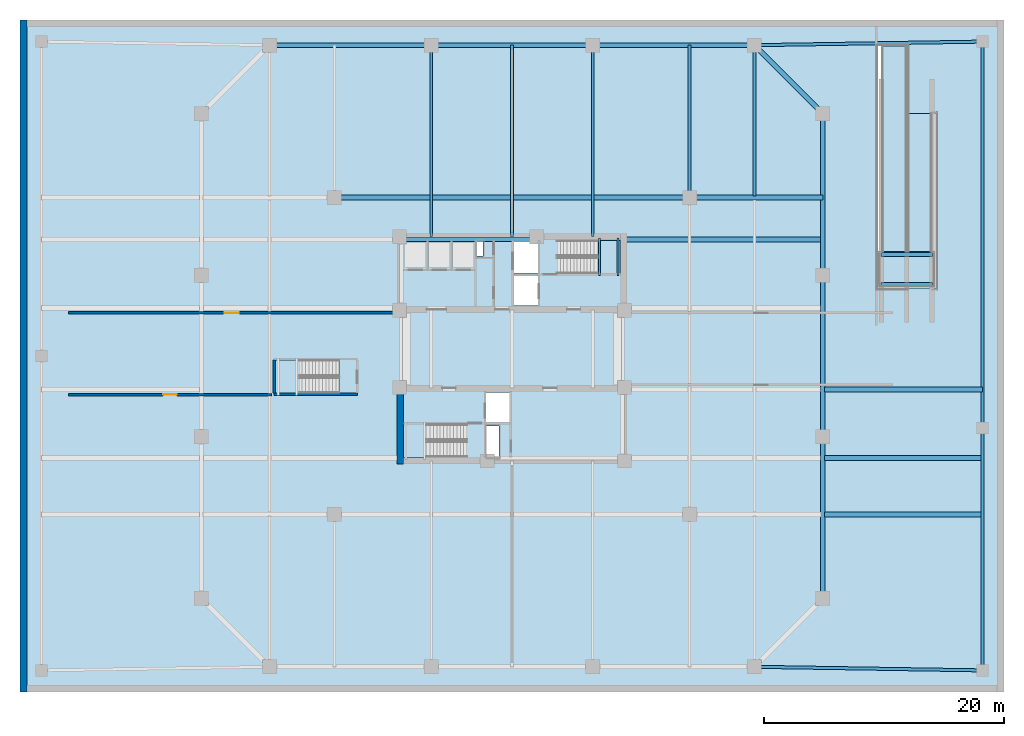
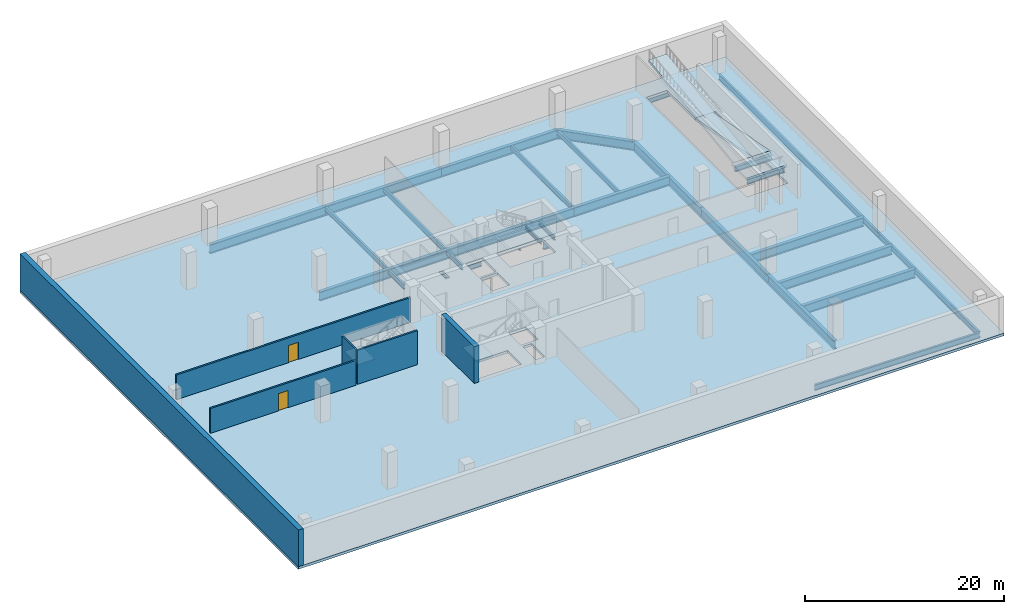
# One storey, part 2 of 8: 27 beams, 7 slabs, 6 walls, 2 doors, 2 openings, 3 elements without a shape of their own.
"""IFC4 building model written with IfcOpenShell, lengths in metres."""

import ifcopenshell
import ifcopenshell.guid

model = None  # the IFC model being written
_history = None  # IfcOwnerHistory: only IFC2X3 demands one
_inside = {}  # id of a spatial element -> (the spatial element, [elements in it])
_under = {}  # id of a project, library or spatial element -> (it, [spatial elements below it])
_declared = {}  # id of a project -> (the project, [libraries it declares])
_typed = {}  # id of a type object -> (the type object, [elements of that type])
_made_of = {}  # id of a material, layer set ... -> (it, [elements and type objects made of it])


def new_model(schema):
    """Start an empty IFC model of exactly this schema.

    Asked for "IFC4X3", IfcOpenShell would pick the latest addendum, in which some entities
    have other attributes; the version numbers below select the first issue.
    IFC2X3 requires an IfcOwnerHistory on every rooted entity: one is made here for all.
    """
    global model, _history
    if schema == "IFC4X3":
        model = ifcopenshell.file(schema_version=(4, 3, 0, 0))
    else:
        model = ifcopenshell.file(schema=schema)
    _inside.clear()
    _under.clear()
    _declared.clear()
    _typed.clear()
    _made_of.clear()
    _history = None
    if model.schema == "IFC2X3":
        org = make("IfcOrganization", Name="unknown")
        user = make(
            "IfcPersonAndOrganization",
            ThePerson=make("IfcPerson", FamilyName="unknown"),
            TheOrganization=org,
        )
        app = make(
            "IfcApplication",
            ApplicationDeveloper=org,
            Version="unknown",
            ApplicationFullName="unknown",
            ApplicationIdentifier="unknown",
        )
        _history = make(
            "IfcOwnerHistory",
            OwningUser=user,
            OwningApplication=app,
            ChangeAction="ADDED",
            CreationDate=0,
        )
    return model


def make(cls, **values):
    """One entity of the class cls with the attributes given. An attribute that is None is left unset."""
    return model.create_entity(
        cls, **{name: value for name, value in values.items() if value is not None}
    )


def rooted(cls, **values):
    """An entity with a GlobalId (a new one), such as an element, a storey or a relation."""
    return make(cls, GlobalId=ifcopenshell.guid.new(), OwnerHistory=_history, **values)


def si_unit(unit_type, name, prefix=None):
    """IfcSIUnit, for example si_unit("LENGTHUNIT", "METRE", prefix="MILLI")."""
    return make("IfcSIUnit", UnitType=unit_type, Prefix=prefix, Name=name)


def assignment(units):
    """IfcUnitAssignment: the units of a project."""
    return None if units is None else make("IfcUnitAssignment", Units=units)


def point(xyz):
    """IfcCartesianPoint."""
    return None if xyz is None else make("IfcCartesianPoint", Coordinates=xyz)


def direction(xyz):
    """IfcDirection."""
    return None if xyz is None else make("IfcDirection", DirectionRatios=xyz)


def frame(location, z_axis=None, x_axis=None):
    """IfcAxis2Placement3D, a coordinate frame: its origin and axes. An axis left out is left unset."""
    return make(
        "IfcAxis2Placement3D",
        Location=point(location),
        Axis=direction(z_axis),
        RefDirection=direction(x_axis),
    )


def frame_2d(location, x_axis=None):
    """IfcAxis2Placement2D, a coordinate frame in the plane: its origin and x axis."""
    return make(
        "IfcAxis2Placement2D", Location=point(location), RefDirection=direction(x_axis)
    )


def origin():
    """The frame at (0, 0, 0) with its axes left unset."""
    return frame((0.0, 0.0, 0.0))


def origin_2d():
    """The frame at (0, 0) in the plane with its x axis left unset."""
    return frame_2d((0.0, 0.0))


def place(relative_to, where):
    """IfcLocalPlacement: puts the frame where relative to a parent placement (None: the world)."""
    return make(
        "IfcLocalPlacement", PlacementRelTo=relative_to, RelativePlacement=where
    )


def context(
    kind, dimensions, precision=None, world=None, true_north=None, identifier=None
):
    """IfcGeometricRepresentationContext, for example the 3D "Model" context."""
    return make(
        "IfcGeometricRepresentationContext",
        ContextIdentifier=identifier,
        ContextType=kind,
        CoordinateSpaceDimension=dimensions,
        Precision=precision,
        WorldCoordinateSystem=world,
        TrueNorth=true_north,
    )


def subcontext(parent, identifier, kind, view, scale=None):
    """IfcGeometricRepresentationSubContext, for example "Body" below "Model"."""
    return make(
        "IfcGeometricRepresentationSubContext",
        ContextIdentifier=identifier,
        ContextType=kind,
        ParentContext=parent,
        TargetScale=scale,
        TargetView=view,
    )


def project(units=None, contexts=None):
    """IfcProject with its units and contexts."""
    return rooted(
        "IfcProject",
        Name="project",
        RepresentationContexts=contexts,
        UnitsInContext=assignment(units),
    )


def spatial(cls, under=None, at=None, **own):
    """A site, building, storey or space (cls), placed at a placement, below another one or the project."""
    s = rooted(cls, ObjectPlacement=at, **own)
    if under is not None:
        _under.setdefault(under.id(), (under, []))[1].append(s)
    return s


def polyline(points):
    """IfcPolyline through the points."""
    return make("IfcPolyline", Points=[point(p) for p in points])


def profile(cls, at=None, kind="AREA", **sizes):
    """A parametric profile (cls). Its sizes go by their IFC names, for example OverallWidth=200.0."""
    return make(cls, ProfileType=kind, Position=at, **sizes)


def rectangle(**sizes):
    """IfcRectangleProfileDef."""
    return profile("IfcRectangleProfileDef", **sizes)


def i_section(**sizes):
    """IfcIShapeProfileDef."""
    return profile("IfcIShapeProfileDef", **sizes)


def outline(outer, holes=None, kind="AREA"):
    """IfcArbitraryClosedProfileDef: a profile drawn as a closed curve; with holes, ...WithVoids."""
    if holes is None:
        return make("IfcArbitraryClosedProfileDef", ProfileType=kind, OuterCurve=outer)
    return make(
        "IfcArbitraryProfileDefWithVoids",
        ProfileType=kind,
        OuterCurve=outer,
        InnerCurves=holes,
    )


def extrude(swept, where, along, depth):
    """IfcExtrudedAreaSolid: the profile swept, set in the frame where, extruded along a direction by depth."""
    return make(
        "IfcExtrudedAreaSolid",
        SweptArea=swept,
        Position=where,
        ExtrudedDirection=direction(along),
        Depth=depth,
    )


def shape(context_of_items, identifier, shape_type, items):
    """IfcShapeRepresentation: the items that make up one representation, for example the "Body"."""
    return make(
        "IfcShapeRepresentation",
        ContextOfItems=context_of_items,
        RepresentationIdentifier=identifier,
        RepresentationType=shape_type,
        Items=items,
    )


def material(Name=None, Category=None):
    """IfcMaterial."""
    return make("IfcMaterial", Name=Name, Category=Category)


def layer(
    of_material, thickness, ventilated=None, Name=None, Category=None, Priority=None
):
    """IfcMaterialLayer: one layer of a wall or slab, of a material (None: an air gap)."""
    return make(
        "IfcMaterialLayer",
        Material=of_material,
        LayerThickness=thickness,
        IsVentilated=ventilated,
        Name=Name,
        Category=Category,
        Priority=Priority,
    )


def layer_set(layers, Name=None):
    """IfcMaterialLayerSet."""
    return make("IfcMaterialLayerSet", MaterialLayers=layers, LayerSetName=Name)


def material_profile(
    of_material, cross_section, Name=None, Category=None, Priority=None
):
    """IfcMaterialProfile: a cross section and its material."""
    return make(
        "IfcMaterialProfile",
        Name=Name,
        Material=of_material,
        Profile=cross_section,
        Priority=Priority,
        Category=Category,
    )


def profile_set(profiles, Name=None, composite=None):
    """IfcMaterialProfileSet."""
    return make(
        "IfcMaterialProfileSet",
        Name=Name,
        MaterialProfiles=profiles,
        CompositeProfile=composite,
    )


def made_of(thing, what):
    """Note that an element or type object is made of a material, layer set ...; save() writes the relation."""
    if what is not None:
        _made_of.setdefault(what.id(), (what, []))[1].append(thing)
    return thing


def type_object(cls, material=None, **own):
    """A type object (cls), such as IfcWallType, which elements share."""
    return made_of(rooted(cls, **own), material)


def element(
    cls,
    number,
    at=None,
    inside=None,
    cuts=None,
    type_object=None,
    material=None,
    context=None,
    identifier="Body",
    shape_type=None,
    held_by="IfcProductDefinitionShape",
    body=None,
    shapes=None,
    **own,
):
    """One element of the class cls, such as IfcWall. Its Tag is "e" and its number.

    at: its placement. inside: the storey or other place that contains it. cuts: it is an
    opening in that element (IfcRelVoidsElement). A single representation is given by context,
    identifier, shape_type and body (its items); several are given by shapes. held_by: the class
    of the entity that holds the representations. save() writes the other relations.
    """
    e = rooted(cls, Tag="e%d" % number, ObjectPlacement=at, **own)
    if body is not None:
        shapes = [shape(context, identifier, shape_type, body)]
    if shapes is not None:
        e.Representation = make(held_by, Representations=shapes)
    if inside is not None:
        _inside.setdefault(inside.id(), (inside, []))[1].append(e)
    if cuts is not None:
        rooted(
            "IfcRelVoidsElement", RelatingBuildingElement=cuts, RelatedOpeningElement=e
        )
    if type_object is not None:
        _typed.setdefault(type_object.id(), (type_object, []))[1].append(e)
    return made_of(e, material)


def fill(opening, filler):
    """IfcRelFillsElement: the door or window that sits in an opening."""
    return rooted(
        "IfcRelFillsElement",
        RelatingOpeningElement=opening,
        RelatedBuildingElement=filler,
    )


def aggregate(whole, parts):
    """IfcRelAggregates: a whole, such as a stair, and the parts it consists of."""
    return rooted("IfcRelAggregates", RelatingObject=whole, RelatedObjects=parts)


def save(model, path):
    """Write the relations noted so far, then the file.

    IfcRelAggregates (storeys below a building ...), IfcRelContainedInSpatialStructure (elements
    in a storey), IfcRelDefinesByType, IfcRelAssociatesMaterial and IfcRelDeclares: one each for
    every whole, place, type object, material and project.
    """
    for whole, parts in _under.values():
        aggregate(whole, parts)
    for where, things in _inside.values():
        rooted(
            "IfcRelContainedInSpatialStructure",
            RelatedElements=things,
            RelatingStructure=where,
        )
    for kind, things in _typed.values():
        rooted("IfcRelDefinesByType", RelatedObjects=things, RelatingType=kind)
    for what, things in _made_of.values():
        rooted("IfcRelAssociatesMaterial", RelatedObjects=things, RelatingMaterial=what)
    for by, libraries in _declared.values():
        rooted("IfcRelDeclares", RelatingContext=by, RelatedDefinitions=libraries)
    model.write(path)


model = new_model("IFC4")

# Units and contexts
model_context = context("Model", 3, precision=1e-05, world=origin(), true_north=direction((0.0, 1.0)))
body_context = subcontext(model_context, "Body", "Model", "MODEL_VIEW")
ifc_project = project(units=[si_unit("LENGTHUNIT", "METRE"), si_unit("AREAUNIT", "SQUARE_METRE"), si_unit("VOLUMEUNIT", "CUBIC_METRE"), si_unit("PLANEANGLEUNIT", "RADIAN"), si_unit("MASSUNIT", "GRAM", prefix="KILO")], contexts=[model_context])

# Site, building, storey
site_placement = place(None, origin())
site = spatial("IfcSite", under=ifc_project, at=site_placement, CompositionType="ELEMENT")
building_placement = place(site_placement, origin())
building = spatial("IfcBuilding", under=site, at=building_placement, Name="Qhalaya Broadcast Tower", CompositionType="ELEMENT")
storey_placement = place(building_placement, frame((0.0, 0.0, -4.5)))
storey = spatial("IfcBuildingStorey", under=building, at=storey_placement, Name="B01", CompositionType="ELEMENT", Elevation=-4.5)

# Beams
ifc_material_1 = material(Name="Structural Steel ASTM A992 Grade 50", Category="steel")
ifc_material_profile_1 = material_profile(ifc_material_1, i_section(OverallWidth=0.22802734375, OverallDepth=0.60693359375, WebThickness=0.01123046875, FlangeThickness=0.017333984375, at=origin_2d()), Name="W24X76")
ifc_profile_set_1 = profile_set([ifc_material_profile_1], Name="Structural Steel ASTM A992 Grade 50")
beam_type_1 = type_object("IfcBeamType", Name="Composite Floor Joist J01", PredefinedType="JOIST", material=ifc_profile_set_1)
for number, where, z_axis, x_axis, name in (
    (1, (-6.7333984375, 9.949951171875, -0.62353515625), (0.0, 1.0, 0.0), (-1.0, 0.0, 0.0), "B01 J01 B01-JS-CN-6.7"),
    (2, (0.0, 9.949951171875, -0.62353515625), (0.0, 1.0, 0.0), (-1.0, 0.0, 0.0), "B01 J01 B01-JS-CN+0.0"),
    (3, (6.7333984375, 9.949951171875, -0.62353515625), (0.0, 1.0, 0.0), (-1.0, 0.0, 0.0), "B01 J01 B01-JS-CN+6.7"),
):
    element("IfcBeam", number, at=place(storey_placement, frame(where, z_axis=z_axis, x_axis=x_axis)), inside=storey, type_object=beam_type_1, Name=name, PredefinedType="JOIST", context=body_context, shape_type="SweptSolid", body=[
        extrude(i_section(OverallWidth=0.22802734375, OverallDepth=0.60693359375, WebThickness=0.01123046875, FlangeThickness=0.017333984375, at=origin_2d()), origin(), (0.0, 0.0, 1.0), 15.949951171875),
    ])
beam_1_placement = place(storey_placement, frame((14.800048828125, 13.199951171875, -0.62353515625), z_axis=(0.0, 1.0, 0.0), x_axis=(-1.0, 0.0, 0.0)))
element("IfcBeam", 4, at=beam_1_placement, inside=storey, type_object=beam_type_1, Name="B01 J01 B01-JS-N+14.8", PredefinedType="JOIST", context=body_context, shape_type="SweptSolid", body=[
    extrude(i_section(OverallWidth=0.22802734375, OverallDepth=0.60693359375, WebThickness=0.01123046875, FlangeThickness=0.017333984375, at=origin_2d()), origin(), (0.0, 0.0, 1.0), 12.699951171875),
])
beam_2_placement = place(storey_placement, frame((20.199951171875, 13.340087890625, -0.62353515625), z_axis=(0.0, 1.0, 0.0), x_axis=(-1.0, 0.0, 0.0)))
element("IfcBeam", 5, at=beam_2_placement, inside=storey, type_object=beam_type_1, Name="B01 J01 B01-JS-N+20.2", PredefinedType="JOIST", context=body_context, shape_type="SweptSolid", body=[
    extrude(i_section(OverallWidth=0.22802734375, OverallDepth=0.60693359375, WebThickness=0.01123046875, FlangeThickness=0.017333984375, at=origin_2d()), origin(), (0.0, 0.0, 1.0), 12.559814453125),
])
ifc_material_profile_2 = material_profile(ifc_material_1, i_section(OverallWidth=0.323974609375, OverallDepth=0.612060546875, WebThickness=0.0126953125, FlangeThickness=0.01904296875, at=origin_2d()), Name="W24X104")
ifc_profile_set_2 = profile_set([ifc_material_profile_2], Name="Structural Steel ASTM A992 Grade 50")
beam_type_2 = type_object("IfcBeamType", Name="Core Frame Tie Beam B04", PredefinedType="BEAM", material=ifc_profile_set_2)
beam_3_placement = place(storey_placement, frame((-9.199951171875, 9.699951171875, -0.6259765625), z_axis=(1.0, 0.0, 0.0), x_axis=(0.0, 1.0, 0.0)))
element("IfcBeam", 6, at=beam_3_placement, inside=storey, type_object=beam_type_2, Name="B01 B04 B01-CCN3", PredefinedType="BEAM", context=body_context, shape_type="SweptSolid", body=[
    extrude(i_section(OverallWidth=0.323974609375, OverallDepth=0.612060546875, WebThickness=0.0126953125, FlangeThickness=0.01904296875, at=origin_2d()), origin(), (0.0, 0.0, 1.0), 11.25),
])
for number, where, z_axis, x_axis, name in (
    (7, (30.75, 5.949951171875, 1.64404296875), (1.0, 0.0, 0.0), (0.0, 1.0, 0.0), "B01 Vehicle Ramp Landing Bearer Beam 2-1"),
    (8, (30.75, 8.449951171875, 1.64404296875), (1.0, 0.0, 0.0), (0.0, 1.0, 0.0), "B01 Vehicle Ramp Landing Bearer Beam 2-2"),
):
    element("IfcBeam", number, at=place(storey_placement, frame(where, z_axis=z_axis, x_axis=x_axis)), inside=storey, type_object=beam_type_2, Name=name, PredefinedType="BEAM", context=body_context, shape_type="SweptSolid", body=[
        extrude(i_section(OverallWidth=0.323974609375, OverallDepth=0.612060546875, WebThickness=0.0126953125, FlangeThickness=0.01904296875, at=origin_2d()), origin(), (0.0, 0.0, 1.0), 4.300048828125),
    ])
ifc_material_profile_3 = material_profile(ifc_material_1, i_section(OverallWidth=0.25390625, OverallDepth=0.68310546875, WebThickness=0.012451171875, FlangeThickness=0.01904296875, at=origin_2d()), Name="W27X94")
ifc_profile_set_3 = profile_set([ifc_material_profile_3], Name="Structural Steel ASTM A992 Grade 50")
beam_type_3 = type_object("IfcBeamType", Name="Perimeter Ring Spandrel Beam SP1", PredefinedType="SPANDREL", material=ifc_profile_set_3)
for number, where, z_axis, x_axis, name in (
    (9, (20.199951171875, -25.89990234375, -0.66162109375), (0.999875328998, -0.015790074776, 0.0), (0.015790074776, 0.999875328998, 0.0), "B01 SP1 B01-SP-S2"),
    (10, (20.199951171875, 25.89990234375, -0.66162109375), (0.999875328998, 0.015790074776, 0.0), (-0.015790074776, 0.999875328998, 0.0), "B01 SP1 B01-SP-N2"),
):
    element("IfcBeam", number, at=place(storey_placement, frame(where, z_axis=z_axis, x_axis=x_axis)), inside=storey, type_object=beam_type_3, Name=name, PredefinedType="SPANDREL", context=body_context, shape_type="SweptSolid", body=[
        extrude(i_section(OverallWidth=0.25390625, OverallDepth=0.68310546875, WebThickness=0.012451171875, FlangeThickness=0.01904296875, at=origin_2d()), origin(), (0.0, 0.0, 1.0), 19.00244140625),
    ])
beam_4_placement = place(storey_placement, frame((39.199951171875, -26.199951171875, -0.66162109375), z_axis=(0.0, 1.0, 0.0), x_axis=(-1.0, 0.0, 0.0)))
element("IfcBeam", 11, at=beam_4_placement, inside=storey, type_object=beam_type_3, Name="B01 SP1 B01-SP-E1", PredefinedType="SPANDREL", context=body_context, shape_type="SweptSolid", body=[
    extrude(i_section(OverallWidth=0.25390625, OverallDepth=0.68310546875, WebThickness=0.012451171875, FlangeThickness=0.01904296875, at=origin_2d()), origin(), (0.0, 0.0, 1.0), 20.199951171875),
])
beam_5_placement = place(storey_placement, frame((39.199951171875, -6.0, -0.66162109375), z_axis=(0.0, 1.0, 0.0), x_axis=(-1.0, 0.0, 0.0)))
element("IfcBeam", 12, at=beam_5_placement, inside=storey, type_object=beam_type_3, Name="B01 SP1 B01-SP-E2", PredefinedType="SPANDREL", context=body_context, shape_type="SweptSolid", body=[
    extrude(i_section(OverallWidth=0.25390625, OverallDepth=0.68310546875, WebThickness=0.012451171875, FlangeThickness=0.01904296875, at=origin_2d()), origin(), (0.0, 0.0, 1.0), 32.199951171875),
])
ifc_material_profile_4 = material_profile(ifc_material_1, i_section(OverallWidth=0.404052734375, OverallDepth=1.117919921875, WebThickness=0.026123046875, FlangeThickness=0.044921875, at=origin_2d()), Name="W44X335")
ifc_profile_set_4 = profile_set([ifc_material_profile_4], Name="Structural Steel ASTM A992 Grade 50")
beam_type_4 = type_object("IfcBeamType", Name="Podium Long-Span Primary Girder PG1", PredefinedType="USERDEFINED", material=ifc_profile_set_4)
beam_6_placement = place(storey_placement, frame((25.89990234375, -20.199951171875, -0.87890625), z_axis=(0.0, 1.0, 0.0), x_axis=(-1.0, 0.0, 0.0)))
element("IfcBeam", 13, at=beam_6_placement, inside=storey, type_object=beam_type_4, Name="B01 PG1 B01-PG-R05", ObjectType="GIRDER", PredefinedType="USERDEFINED", context=body_context, shape_type="SweptSolid", body=[
    extrude(i_section(OverallWidth=0.404052734375, OverallDepth=1.117919921875, WebThickness=0.026123046875, FlangeThickness=0.044921875, at=origin_2d()), origin(), (0.0, 0.0, 1.0), 13.466552734375),
])
beam_7_placement = place(storey_placement, frame((25.89990234375, -6.7333984375, -0.87890625), z_axis=(0.0, 1.0, 0.0), x_axis=(-1.0, 0.0, 0.0)))
element("IfcBeam", 14, at=beam_7_placement, inside=storey, type_object=beam_type_4, Name="B01 PG1 B01-PG-R06", ObjectType="GIRDER", PredefinedType="USERDEFINED", context=body_context, shape_type="SweptSolid", body=[
    extrude(i_section(OverallWidth=0.404052734375, OverallDepth=1.117919921875, WebThickness=0.026123046875, FlangeThickness=0.044921875, at=origin_2d()), origin(), (0.0, 0.0, 1.0), 13.466796875),
])
beam_8_placement = place(storey_placement, frame((25.89990234375, 6.7333984375, -0.87890625), z_axis=(0.0, 1.0, 0.0), x_axis=(-1.0, 0.0, 0.0)))
element("IfcBeam", 15, at=beam_8_placement, inside=storey, type_object=beam_type_4, Name="B01 PG1 B01-PG-R07", ObjectType="GIRDER", PredefinedType="USERDEFINED", context=body_context, shape_type="SweptSolid", body=[
    extrude(i_section(OverallWidth=0.404052734375, OverallDepth=1.117919921875, WebThickness=0.026123046875, FlangeThickness=0.044921875, at=origin_2d()), origin(), (0.0, 0.0, 1.0), 13.466552734375),
])
beam_9_placement = place(storey_placement, frame((25.89990234375, 20.199951171875, -0.87890625), z_axis=(-0.707106781187, 0.707106781187, 0.0), x_axis=(-0.707106781187, -0.707106781187, 0.0)))
element("IfcBeam", 16, at=beam_9_placement, inside=storey, type_object=beam_type_4, Name="B01 PG1 B01-PG-R08", ObjectType="GIRDER", PredefinedType="USERDEFINED", context=body_context, shape_type="SweptSolid", body=[
    extrude(i_section(OverallWidth=0.404052734375, OverallDepth=1.117919921875, WebThickness=0.026123046875, FlangeThickness=0.044921875, at=origin_2d()), origin(), (0.0, 0.0, 1.0), 8.06103515625),
])
beam_10_placement = place(storey_placement, frame((20.199951171875, 25.89990234375, -0.87890625), z_axis=(-1.0, 0.0, 0.0), x_axis=(0.0, -1.0, 0.0)))
element("IfcBeam", 17, at=beam_10_placement, inside=storey, type_object=beam_type_4, Name="B01 PG1 B01-PG-R09", ObjectType="GIRDER", PredefinedType="USERDEFINED", context=body_context, shape_type="SweptSolid", body=[
    extrude(i_section(OverallWidth=0.404052734375, OverallDepth=1.117919921875, WebThickness=0.026123046875, FlangeThickness=0.044921875, at=origin_2d()), origin(), (0.0, 0.0, 1.0), 13.466552734375),
])
beam_11_placement = place(storey_placement, frame((6.7333984375, 25.89990234375, -0.87890625), z_axis=(-1.0, 0.0, 0.0), x_axis=(0.0, -1.0, 0.0)))
element("IfcBeam", 18, at=beam_11_placement, inside=storey, type_object=beam_type_4, Name="B01 PG1 B01-PG-R10", ObjectType="GIRDER", PredefinedType="USERDEFINED", context=body_context, shape_type="SweptSolid", body=[
    extrude(i_section(OverallWidth=0.404052734375, OverallDepth=1.117919921875, WebThickness=0.026123046875, FlangeThickness=0.044921875, at=origin_2d()), origin(), (0.0, 0.0, 1.0), 13.466796875),
])
beam_12_placement = place(storey_placement, frame((-6.7333984375, 25.89990234375, -0.87890625), z_axis=(-1.0, 0.0, 0.0), x_axis=(0.0, -1.0, 0.0)))
element("IfcBeam", 19, at=beam_12_placement, inside=storey, type_object=beam_type_4, Name="B01 PG1 B01-PG-R11", ObjectType="GIRDER", PredefinedType="USERDEFINED", context=body_context, shape_type="SweptSolid", body=[
    extrude(i_section(OverallWidth=0.404052734375, OverallDepth=1.117919921875, WebThickness=0.026123046875, FlangeThickness=0.044921875, at=origin_2d()), origin(), (0.0, 0.0, 1.0), 13.466552734375),
])
beam_13_placement = place(storey_placement, frame((26.0400390625, -13.199951171875, -0.87890625), z_axis=(1.0, 0.0, 0.0), x_axis=(0.0, 1.0, 0.0)))
element("IfcBeam", 20, at=beam_13_placement, inside=storey, type_object=beam_type_4, Name="B01 PG1 B01-PG-GS5", ObjectType="GIRDER", PredefinedType="USERDEFINED", context=body_context, shape_type="SweptSolid", body=[
    extrude(i_section(OverallWidth=0.404052734375, OverallDepth=1.117919921875, WebThickness=0.026123046875, FlangeThickness=0.044921875, at=origin_2d()), origin(), (0.0, 0.0, 1.0), 13.159912109375),
])
beam_14_placement = place(storey_placement, frame((-14.800048828125, 13.199951171875, -0.87890625), z_axis=(1.0, 0.0, 0.0), x_axis=(0.0, 1.0, 0.0)))
element("IfcBeam", 21, at=beam_14_placement, inside=storey, type_object=beam_type_4, Name="B01 PG1 B01-PG-GN3", ObjectType="GIRDER", PredefinedType="USERDEFINED", context=body_context, shape_type="SweptSolid", body=[
    extrude(i_section(OverallWidth=0.404052734375, OverallDepth=1.117919921875, WebThickness=0.026123046875, FlangeThickness=0.044921875, at=origin_2d()), origin(), (0.0, 0.0, 1.0), 29.60009765625),
])
beam_15_placement = place(storey_placement, frame((14.800048828125, 13.199951171875, -0.87890625), z_axis=(1.0, 0.0, 0.0), x_axis=(0.0, 1.0, 0.0)))
element("IfcBeam", 22, at=beam_15_placement, inside=storey, type_object=beam_type_4, Name="B01 PG1 B01-PG-GN4", ObjectType="GIRDER", PredefinedType="USERDEFINED", context=body_context, shape_type="SweptSolid", body=[
    extrude(i_section(OverallWidth=0.404052734375, OverallDepth=1.117919921875, WebThickness=0.026123046875, FlangeThickness=0.044921875, at=origin_2d()), origin(), (0.0, 0.0, 1.0), 11.099853515625),
])
for number, where, z_axis, x_axis, name in (
    (23, (26.0400390625, -8.5, -0.87890625), (1.0, 0.0, 0.0), (0.0, 1.0, 0.0), "B01 PG1 B01-PG-E1B"),
    (24, (26.0400390625, -2.800048828125, -0.87890625), (1.0, 0.0, 0.0), (0.0, 1.0, 0.0), "B01 PG1 B01-PG-E2B"),
):
    element("IfcBeam", number, at=place(storey_placement, frame(where, z_axis=z_axis, x_axis=x_axis)), inside=storey, type_object=beam_type_4, Name=name, ObjectType="GIRDER", PredefinedType="USERDEFINED", context=body_context, shape_type="SweptSolid", body=[
        extrude(i_section(OverallWidth=0.404052734375, OverallDepth=1.117919921875, WebThickness=0.026123046875, FlangeThickness=0.044921875, at=origin_2d()), origin(), (0.0, 0.0, 1.0), 13.159912109375),
    ])
beam_16_placement = place(storey_placement, frame((9.199951171875, 9.699951171875, -0.87890625), z_axis=(1.0, 0.0, 0.0), x_axis=(0.0, 1.0, 0.0)))
element("IfcBeam", 25, at=beam_16_placement, inside=storey, type_object=beam_type_4, Name="B01 PG1 B01-PG-E4A", ObjectType="GIRDER", PredefinedType="USERDEFINED", context=body_context, shape_type="SweptSolid", body=[
    extrude(i_section(OverallWidth=0.404052734375, OverallDepth=1.117919921875, WebThickness=0.026123046875, FlangeThickness=0.044921875, at=origin_2d()), origin(), (0.0, 0.0, 1.0), 16.56005859375),
])
ifc_material_profile_5 = material_profile(ifc_material_1, i_section(OverallWidth=0.177978515625, OverallDepth=0.406005859375, WebThickness=0.0078125, FlangeThickness=0.0126953125, at=origin_2d()), Name="W16X40")
ifc_profile_set_5 = profile_set([ifc_material_profile_5], Name="Structural Steel ASTM A992 Grade 50")
beam_type_5 = type_object("IfcBeamType", Name="Upper Perimeter Spandrel Beam SP2", PredefinedType="SPANDREL", material=ifc_profile_set_5)
for number, where, z_axis, x_axis, name in (
    (26, (7.294921875, 6.699951171875, 1.846923828125), (0.0, 1.0, 0.0), (-1.0, 0.0, 0.0), "B01 ST-1 Half-Landing Bearer Beam 1"),
    (27, (8.830078125, 6.699951171875, 1.846923828125), (0.0, 1.0, 0.0), (-1.0, 0.0, 0.0), "B01 ST-1 Half-Landing Bearer Beam 2"),
):
    element("IfcBeam", number, at=place(storey_placement, frame(where, z_axis=z_axis, x_axis=x_axis)), inside=storey, type_object=beam_type_5, Name=name, PredefinedType="SPANDREL", context=body_context, shape_type="SweptSolid", body=[
        extrude(i_section(OverallWidth=0.177978515625, OverallDepth=0.406005859375, WebThickness=0.0078125, FlangeThickness=0.0126953125, at=origin_2d()), origin(), (0.0, 0.0, 1.0), 3.1201171875),
    ])

# Slab
ifc_material_2 = material(Name="Concrete C40/50", Category="concrete")
ifc_layer_1 = layer(ifc_material_2, 0.320068359375, Name="Concrete C40/50")
ifc_layer_set_1 = layer_set([ifc_layer_1], Name="Concrete C40/50")
slab_type_1 = type_object("IfcSlabType", Name="Podium Soundstage Box-in-Box Floor Slab 320", PredefinedType="FLOOR", material=ifc_layer_set_1)
slab_1_placement = place(storey_placement, frame((0.0, 0.0, -0.320068359375)))
element("IfcSlab", 28, at=slab_1_placement, inside=storey, type_object=slab_type_1, Name="B01 Main Structural Floor Slab", PredefinedType="FLOOR", context=body_context, shape_type="SweptSolid", body=[
    extrude(outline(polyline([(-41.0, -28.0), (41.0, -28.0), (41.0, 28.0), (-41.0, 28.0), (-41.0, -28.0)]), holes=[polyline([(3.784912109375, 9.639892578125), (9.050048828125, 9.639892578125), (9.050048828125, 6.8798828125), (3.784912109375, 6.8798828125), (3.784912109375, 9.639892578125)]), polyline([(-3.784912109375, -8.43994140625), (-9.050048828125, -8.43994140625), (-9.050048828125, -5.679931640625), (-3.784912109375, -5.679931640625), (-3.784912109375, -8.43994140625)]), polyline([(-14.43505859375, -3.10009765625), (-19.699951171875, -3.10009765625), (-19.699951171875, -0.340087890625), (-14.43505859375, -0.340087890625), (-14.43505859375, -3.10009765625)]), polyline([(0.14990234375, 6.64990234375), (2.14990234375, 6.64990234375), (2.14990234375, 4.199951171875), (0.14990234375, 4.199951171875), (0.14990234375, 6.64990234375)]), polyline([(0.14990234375, 9.60009765625), (2.14990234375, 9.60009765625), (2.14990234375, 6.89990234375), (0.14990234375, 6.89990234375), (0.14990234375, 9.60009765625)]), polyline([(-2.14990234375, -3.050048828125), (-0.14990234375, -3.050048828125), (-0.14990234375, -5.5), (-2.14990234375, -5.5), (-2.14990234375, -3.050048828125)]), polyline([(-2.919921875, 9.659912109375), (-2.419921875, 9.659912109375), (-2.419921875, 8.320068359375), (-2.919921875, 8.320068359375), (-2.919921875, 9.659912109375)]), polyline([(-2.1201171875, -5.820068359375), (-1.080078125, -5.820068359375), (-1.080078125, -8.4599609375), (-2.1201171875, -8.4599609375), (-2.1201171875, -5.820068359375)]), polyline([(30.5, 25.820068359375), (32.949951171875, 25.820068359375), (32.949951171875, 20.199951171875), (35.300048828125, 20.199951171875), (35.300048828125, 5.64990234375), (30.5, 5.64990234375), (30.5, 25.820068359375)])]), origin(), (0.0, 0.0, 1.0), 0.320068359375),
])

# Stair, slab
stair_type = type_object("IfcStairType", Name="Protected Dogleg Core Stair 4500", PredefinedType="TWO_STRAIGHT_RUN_STAIR", material=ifc_material_2)
stair_1_placement = place(storey_placement, origin())
stair_1 = element("IfcStair", 29, at=stair_1_placement, inside=storey, type_object=stair_type, Name="B01 North Core Exit Stair ST-1", PredefinedType="TWO_STRAIGHT_RUN_STAIR")
ifc_layer_2 = layer(ifc_material_2, 0.199951171875, Name="Concrete C40/50")
ifc_layer_set_2 = layer_set([ifc_layer_2], Name="Concrete C40/50")
slab_type_2 = type_object("IfcSlabType", Name="Stair & Ramp Half-Landing Slab 200", PredefinedType="LANDING", material=ifc_layer_set_2)
slab_2_placement = place(storey_placement, frame((0.0, 0.0, 2.050048828125)))
slab_2 = element("IfcSlab", 30, at=slab_2_placement, type_object=slab_type_2, Name="ST-1 landing 1", PredefinedType="LANDING", context=body_context, shape_type="SweptSolid", body=[
    extrude(outline(polyline([(7.074951171875, 6.8798828125), (9.050048828125, 6.8798828125), (9.050048828125, 9.639892578125), (7.074951171875, 9.639892578125), (7.074951171875, 6.8798828125)])), origin(), (0.0, 0.0, 1.0), 0.199951171875),
])
aggregate(stair_1, [slab_2])

stair_2_placement = place(storey_placement, origin())
stair_2 = element("IfcStair", 31, at=stair_2_placement, inside=storey, type_object=stair_type, Name="B01 South Core Exit Stair ST-2", PredefinedType="TWO_STRAIGHT_RUN_STAIR")
slab_3_placement = place(storey_placement, frame((0.0, 0.0, 2.050048828125)))
slab_3 = element("IfcSlab", 32, at=slab_3_placement, type_object=slab_type_2, Name="ST-2 landing 1", PredefinedType="LANDING", context=body_context, shape_type="SweptSolid", body=[
    extrude(outline(polyline([(-7.074951171875, -5.679931640625), (-9.050048828125, -5.679931640625), (-9.050048828125, -8.43994140625), (-7.074951171875, -8.43994140625), (-7.074951171875, -5.679931640625)])), origin(), (0.0, 0.0, 1.0), 0.199951171875),
])
aggregate(stair_2, [slab_3])

stair_3_placement = place(storey_placement, origin())
stair_3 = element("IfcStair", 33, at=stair_3_placement, inside=storey, type_object=stair_type, Name="B01 Podium West Escape Stair ST-P1", PredefinedType="TWO_STRAIGHT_RUN_STAIR")
slab_4_placement = place(storey_placement, frame((0.0, 0.0, 2.050048828125)))
slab_4 = element("IfcSlab", 34, at=slab_4_placement, type_object=slab_type_2, Name="ST-P1 landing 1", PredefinedType="LANDING", context=body_context, shape_type="SweptSolid", body=[
    extrude(outline(polyline([(-17.72509765625, -0.340087890625), (-19.699951171875, -0.340087890625), (-19.699951171875, -3.10009765625), (-17.72509765625, -3.10009765625), (-17.72509765625, -0.340087890625)])), origin(), (0.0, 0.0, 1.0), 0.199951171875),
])
aggregate(stair_3, [slab_4])

# Slabs
ifc_layer_3 = layer(ifc_material_2, 0.300048828125, Name="Concrete C40/50")
ifc_layer_set_3 = layer_set([ifc_layer_3], Name="Concrete C40/50")
slab_type_3 = type_object("IfcSlabType", Name="Vehicle Ramp Approach Transition Slab 300", PredefinedType="USERDEFINED", material=ifc_layer_set_3)
slab_5_placement = place(storey_placement, frame((0.0, 0.0, 1.949951171875)))
element("IfcSlab", 35, at=slab_5_placement, inside=storey, type_object=slab_type_3, Name="B01 Car Park Ramp Upper Mid Landing Slab", ObjectType="APPROACH_SLAB", PredefinedType="USERDEFINED", context=body_context, shape_type="SweptSolid", body=[
    extrude(outline(polyline([(30.550048828125, 5.699951171875), (35.25, 5.699951171875), (35.25, 8.699951171875), (30.550048828125, 8.699951171875), (30.550048828125, 5.699951171875)])), origin(), (0.0, 0.0, 1.0), 0.300048828125),
])
slab_6_placement = place(storey_placement, frame((35.02001953125, 20.199951171875, 0.0), z_axis=(0.0, 0.192011606386, 0.98139265486), x_axis=(-1.0, 0.0, 0.0)))
element("IfcSlab", 36, at=slab_6_placement, inside=storey, type_object=slab_type_3, Name="B01 Vehicle Ramp Structural Slab East Run Concrete C45/55", ObjectType="APPROACH_SLAB", PredefinedType="USERDEFINED", context=body_context, shape_type="SweptSolid", body=[
    extrude(outline(polyline([(0.0, 0.0), (2.070068359375, 0.0), (2.070068359375, 11.718041645257964), (0.0, 11.718041645257964), (0.0, 0.0)])), origin(), (0.0, 0.0, -1.0), 0.300048828125),
])
slab_7_placement = place(storey_placement, frame((30.780029296875, 8.699951171875, 2.25), z_axis=(0.0, -0.130303824784, 0.991474111234), x_axis=(1.0, 0.0, 0.0)))
element("IfcSlab", 37, at=slab_7_placement, inside=storey, type_object=slab_type_3, Name="B01 Vehicle Ramp Structural Slab West Run Concrete C45/55", ObjectType="APPROACH_SLAB", PredefinedType="USERDEFINED", context=body_context, shape_type="SweptSolid", body=[
    extrude(outline(polyline([(0.0, 0.0), (2.139892578125, 0.0), (2.139892578125, 17.2673365784574), (0.0, 17.2673365784574), (0.0, 0.0)])), origin(), (0.0, 0.0, -1.0), 0.300048828125),
])

# Wall
ifc_material_3 = material(Name="Concrete C45/55", Category="concrete")
ifc_layer_4 = layer(ifc_material_3, 0.60009765625, Name="Concrete C45/55")
ifc_layer_set_4 = layer_set([ifc_layer_4], Name="Concrete C45/55")
wall_type_1 = type_object("IfcWallType", Name="Basement Perimeter Retaining Wall 600", PredefinedType="USERDEFINED", material=ifc_layer_set_4)
wall_1_placement = place(storey_placement, frame((-40.699951171875, -28.0, 0.0), z_axis=(0.0, 0.0, 1.0), x_axis=(0.0, 1.0, 0.0)))
element("IfcWall", 38, at=wall_1_placement, inside=storey, type_object=wall_type_1, Name="B01 Basement Retaining Wall RW-W", ObjectType="RETAININGWALL", PredefinedType="USERDEFINED", context=body_context, shape_type="SweptSolid", body=[
    extrude(rectangle(XDim=56.0, YDim=0.60009765625, at=frame_2d((28.0, 0.0))), origin(), (0.0, 0.0, 1.0), 4.5),
])

# Wall, opening, door
ifc_material_4 = material(Name="Gypsum Acoustic Partition")
ifc_layer_5 = layer(ifc_material_4, 0.199951171875, Name="Gypsum Acoustic Partition")
ifc_layer_set_5 = layer_set([ifc_layer_5], Name="Gypsum Acoustic Partition")
wall_type_2 = type_object("IfcWallType", Name="Firefighting Lobby & Stair Enclosure Wall 200", PredefinedType="PARTITIONING", material=ifc_layer_set_5)
wall_2_placement = place(storey_placement, frame((-36.93994140625, -3.219970703125, 0.0), z_axis=(0.0, 0.0, 1.0), x_axis=(1.0, 0.0, 0.0)))
wall_2 = element("IfcWall", 39, at=wall_2_placement, inside=storey, type_object=wall_type_2, Name="B01 Partition Wall W-B01S1", PredefinedType="PARTITIONING", context=body_context, shape_type="SweptSolid", body=[
    extrude(rectangle(XDim=16.8798828125, YDim=0.199951171875, at=frame_2d((8.43994140625, 0.0))), origin(), (0.0, 0.0, 1.0), 3.0419921875),
])
opening_1_placement = place(wall_2_placement, frame((7.864990234375, 0.0, 0.0)))
opening_1 = element("IfcOpeningElement", 40, at=opening_1_placement, cuts=wall_2, Name="Opening D05", PredefinedType="OPENING", context=body_context, shape_type="SweptSolid", body=[
    extrude(rectangle(XDim=1.14990234375, YDim=2.10009765625, at=frame_2d((0.574951171875, 1.050048828125))), frame((0.0, 0.112060546875, 0.0), z_axis=(0.0, -1.0, 0.0), x_axis=(1.0, 0.0, 0.0)), (0.0, 0.0, 1.0), 0.223876953125),
])
ifc_material_5 = material(Name="Fire-Rated Steel Door", Category="steel")
door_type = type_object("IfcDoorType", Name="Refuge & Plant Room Fire Door D05", OperationType="NOTDEFINED", PredefinedType="DOOR", material=ifc_material_5)
door_1_placement = place(opening_1_placement, origin())
door_1 = element("IfcDoor", 41, at=door_1_placement, inside=storey, type_object=door_type, Name="B01 Door D-B01-SW", OperationType="SINGLE_SWING_LEFT", OverallHeight=2.10009765625, OverallWidth=1.14990234375, PredefinedType="DOOR", context=body_context, shape_type="SweptSolid", body=[
    extrude(rectangle(XDim=1.14990234375, YDim=2.10009765625, at=frame_2d((0.574951171875, 1.050048828125))), frame((0.0, 0.02490234375, 0.0), z_axis=(0.0, -1.0, 0.0), x_axis=(1.0, 0.0, 0.0)), (0.0, 0.0, 1.0), 0.050048828125),
])
fill(opening_1, door_1)

wall_3_placement = place(storey_placement, frame((-36.93994140625, 3.60009765625, 0.0), z_axis=(0.0, 0.0, 1.0), x_axis=(1.0, 0.0, 0.0)))
wall_3 = element("IfcWall", 42, at=wall_3_placement, inside=storey, type_object=wall_type_2, Name="B01 Partition Wall W-B01N1", PredefinedType="PARTITIONING", context=body_context, shape_type="SweptSolid", body=[
    extrude(rectangle(XDim=27.179931640625, YDim=0.199951171875, at=frame_2d((13.58984375, 0.0))), origin(), (0.0, 0.0, 1.0), 3.0419921875),
])
opening_2_placement = place(wall_3_placement, frame((13.014892578125, 0.0, 0.0)))
opening_2 = element("IfcOpeningElement", 43, at=opening_2_placement, cuts=wall_3, Name="Opening D05", PredefinedType="OPENING", context=body_context, shape_type="SweptSolid", body=[
    extrude(rectangle(XDim=1.14990234375, YDim=2.10009765625, at=frame_2d((0.574951171875, 1.050048828125))), frame((0.0, 0.112060546875, 0.0), z_axis=(0.0, -1.0, 0.0), x_axis=(1.0, 0.0, 0.0)), (0.0, 0.0, 1.0), 0.223876953125),
])
door_2_placement = place(opening_2_placement, origin())
door_2 = element("IfcDoor", 44, at=door_2_placement, inside=storey, type_object=door_type, Name="B01 Door D-B01-NW", OperationType="SINGLE_SWING_RIGHT", OverallHeight=2.10009765625, OverallWidth=1.14990234375, PredefinedType="DOOR", context=body_context, shape_type="SweptSolid", body=[
    extrude(rectangle(XDim=1.14990234375, YDim=2.10009765625, at=frame_2d((0.574951171875, 1.050048828125))), frame((0.0, 0.02490234375, 0.0), z_axis=(0.0, -1.0, 0.0), x_axis=(1.0, 0.0, 0.0)), (0.0, 0.0, 1.0), 0.050048828125),
])
fill(opening_2, door_2)

# Walls
ifc_material_6 = material(Name="Concrete C50/60", Category="concrete")
ifc_layer_6 = layer(ifc_material_6, 0.199951171875, Name="Concrete C50/60")
ifc_layer_set_6 = layer_set([ifc_layer_6], Name="Concrete C50/60")
wall_type_3 = type_object("IfcWallType", Name="Load-Bearing Stair Shaft Wall 200", PredefinedType="SHEAR", material=ifc_layer_set_6)
wall_4_placement = place(storey_placement, frame((-19.830078125, -3.179931640625, 0.0), z_axis=(0.0, 0.0, 1.0), x_axis=(1.0, 0.0, 0.0)))
element("IfcWall", 45, at=wall_4_placement, inside=storey, type_object=wall_type_3, Name="B01 Stair Core Shear Wall W-STP1S", PredefinedType="SHEAR", context=body_context, shape_type="SweptSolid", body=[
    extrude(rectangle(XDim=6.9599609375, YDim=0.199951171875, at=frame_2d((3.47998046875, 0.0))), origin(), (0.0, 0.0, 1.0), 4.179931640625),
])
wall_5_placement = place(storey_placement, frame((-19.820068359375, -3.080078125, 0.0), z_axis=(0.0, 0.0, 1.0), x_axis=(0.0, 1.0, 0.0)))
element("IfcWall", 46, at=wall_5_placement, inside=storey, type_object=wall_type_3, Name="B01 Stair Core Shear Wall W-STP1W", PredefinedType="SHEAR", context=body_context, shape_type="SweptSolid", body=[
    extrude(rectangle(XDim=2.739990234375, YDim=0.199951171875, at=frame_2d((1.3701171875, 0.0))), origin(), (0.0, 0.0, 1.0), 4.179931640625),
])
ifc_material_7 = material(Name="Concrete C60/75", Category="concrete")
ifc_layer_7 = layer(ifc_material_7, 0.550048828125, Name="Concrete C60/75")
ifc_layer_set_7 = layer_set([ifc_layer_7], Name="Concrete C60/75")
wall_type_4 = type_object("IfcWallType", Name="Lower Split-Core Shear Wall 550", PredefinedType="SHEAR", material=ifc_layer_set_7)
wall_6_placement = place(storey_placement, frame((-9.324951171875, -9.0, 0.0), z_axis=(0.0, 0.0, 1.0), x_axis=(0.0, 1.0, 0.0)))
element("IfcWall", 47, at=wall_6_placement, inside=storey, type_object=wall_type_4, Name="B01 Split-Core Shear Wall CW-SW", PredefinedType="SHEAR", context=body_context, shape_type="SweptSolid", body=[
    extrude(rectangle(XDim=6.60009765625, YDim=0.550048828125, at=frame_2d((3.300048828125, 0.0))), origin(), (0.0, 0.0, 1.0), 4.5),
])

save(model, "model.ifc")
